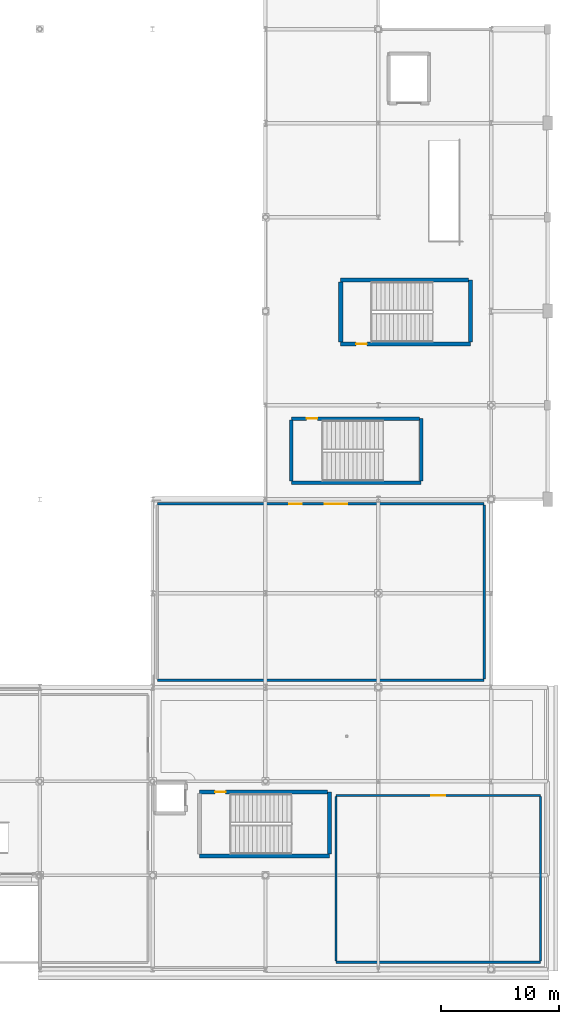
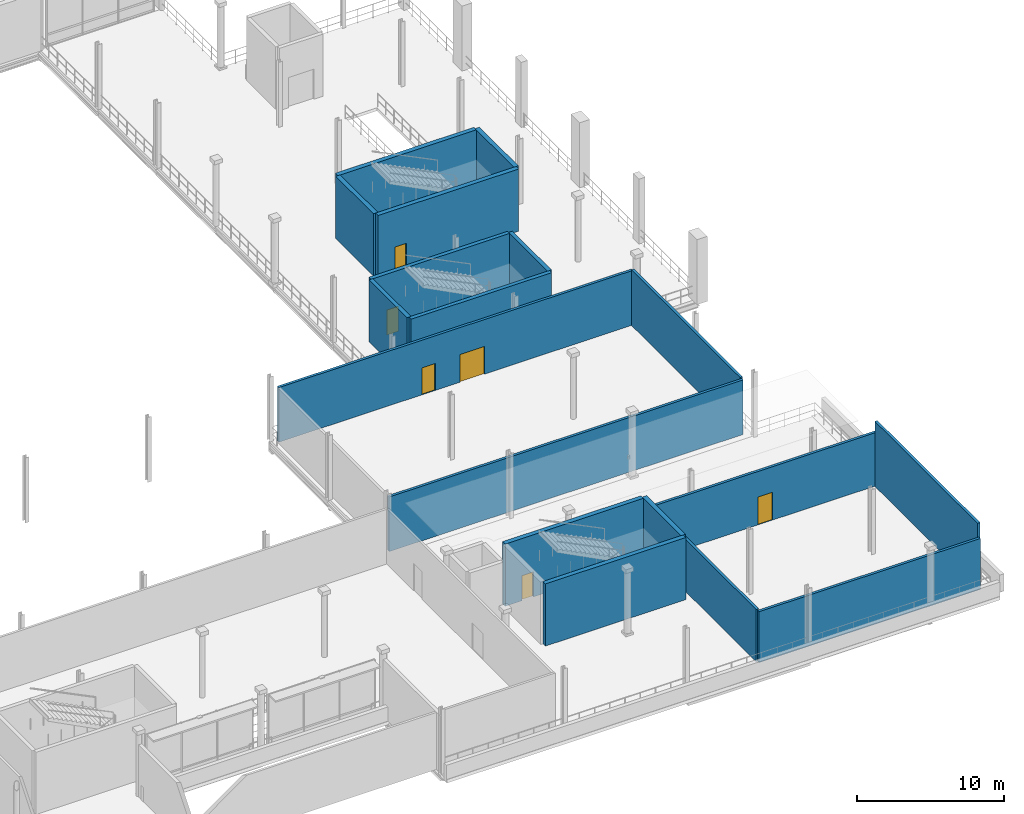
# One storey, part 82 of 129: 18 walls, 6 doors, 6 openings.
"""IFC4 building model written with IfcOpenShell, lengths in metres."""

from ifc_helpers import new_model, si_unit, direction, frame, frame_2d, origin, place, context, subcontext, project, spatial, rectangle, extrude, material, layer, layer_set, type_object, element, fill, save


model = new_model("IFC4")

# Units and contexts
model_context = context("Model", 3, precision=1e-05, world=origin(), true_north=direction((0.0, 1.0)))
body_context = subcontext(model_context, "Body", "Model", "MODEL_VIEW")
ifc_project = project(units=[si_unit("LENGTHUNIT", "METRE"), si_unit("AREAUNIT", "SQUARE_METRE"), si_unit("VOLUMEUNIT", "CUBIC_METRE"), si_unit("PLANEANGLEUNIT", "RADIAN"), si_unit("MASSUNIT", "GRAM", prefix="KILO")], contexts=[model_context])

# Site, building, storey
site_placement = place(None, origin())
site = spatial("IfcSite", under=ifc_project, at=site_placement, CompositionType="ELEMENT")
building_placement = place(site_placement, origin())
building = spatial("IfcBuilding", under=site, at=building_placement, Name="Danafjord Basin Convention Centre", CompositionType="ELEMENT")
storey_placement = place(building_placement, frame((0.0, 0.0, 6.0)))
storey = spatial("IfcBuildingStorey", under=building, at=storey_placement, Name="L01", CompositionType="ELEMENT", Elevation=6.0)

# Walls
ifc_material_1 = material(Name="Concrete C40/50", Category="concrete")
ifc_layer_1 = layer(ifc_material_1, 0.300048828125)
ifc_layer_set_1 = layer_set([ifc_layer_1], Name="Concrete C40/50")
wall_type_1 = type_object("IfcWallType", Name="WALL-CW-CORE300", PredefinedType="SHEAR", material=ifc_layer_set_1)
wall_1_placement = place(storey_placement, frame((194.199951171875, 41.39990234375, 0.0), z_axis=(0.0, 0.0, 1.0), x_axis=(1.0, 0.0, 0.0)))
element("IfcWall", 1, at=wall_1_placement, inside=storey, type_object=wall_type_1, Name="Ballroom South-East Escape Stair core shear wall (south)", PredefinedType="SHEAR", context=body_context, shape_type="SweptSolid", body=[
    extrude(rectangle(XDim=11.0400390625, YDim=0.300048828125, at=frame_2d((5.52001953125, 0.0))), origin(), (0.0, 0.0, 1.0), 5.169921875),
])
wall_2_placement = place(storey_placement, frame((205.239990234375, 41.534912109375, 0.0), z_axis=(0.0, 0.0, 1.0), x_axis=(0.0, 1.0, 0.0)))
element("IfcWall", 2, at=wall_2_placement, inside=storey, type_object=wall_type_1, Name="Ballroom South-East Escape Stair core shear wall (east)", PredefinedType="SHEAR", context=body_context, shape_type="SweptSolid", body=[
    extrude(rectangle(XDim=5.3251953125, YDim=0.300048828125, at=frame_2d((2.66259765625, 0.0))), origin(), (0.0, 0.0, 1.0), 5.169921875),
])

# Wall, opening, door
wall_3_placement = place(storey_placement, frame((205.10498046875, 46.860107421875, 0.0), z_axis=(0.0, 0.0, 1.0), x_axis=(-1.0, 0.0, 0.0)))
wall_3 = element("IfcWall", 3, at=wall_3_placement, inside=storey, type_object=wall_type_1, Name="Ballroom South-East Escape Stair core shear wall (north)", PredefinedType="SHEAR", context=body_context, shape_type="SweptSolid", body=[
    extrude(rectangle(XDim=10.905029296875, YDim=0.300048828125, at=frame_2d((5.45263671875, 0.0))), origin(), (0.0, 0.0, 1.0), 5.169921875),
])
opening_1_placement = place(wall_3_placement, frame((8.68408203125, 0.0, 0.0)))
opening_1 = element("IfcOpeningElement", 4, at=opening_1_placement, cuts=wall_3, Name="Opening FD-S01", PredefinedType="OPENING", context=body_context, shape_type="SweptSolid", body=[
    extrude(rectangle(XDim=0.909912109375, YDim=2.080078125, at=frame_2d((0.455078125, 1.0400390625))), frame((0.0, 0.159912109375, 0.0), z_axis=(0.0, -1.0, 0.0), x_axis=(1.0, 0.0, 0.0)), (0.0, 0.0, 1.0), 0.320068359375),
])
ifc_material_2 = material(Name="Powder-coated steel and Nordic oak", Category="steel")
door_type_1 = type_object("IfcDoorType", Name="DOOR-FD-S01", OperationType="NOTDEFINED", PredefinedType="DOOR", material=ifc_material_2)
door_1_placement = place(opening_1_placement, origin())
door_1 = element("IfcDoor", 5, at=door_1_placement, inside=storey, type_object=door_type_1, Name="Ballroom South-East Escape Stair L01 Fire Exit Door", OperationType="SINGLE_SWING_RIGHT", OverallHeight=2.080078125, OverallWidth=0.909912109375, PredefinedType="DOOR", context=body_context, shape_type="SweptSolid", body=[
    extrude(rectangle(XDim=0.909912109375, YDim=2.080078125, at=frame_2d((0.455078125, 1.0400390625))), frame((0.0, 0.02490234375, 0.0), z_axis=(0.0, -1.0, 0.0), x_axis=(1.0, 0.0, 0.0)), (0.0, 0.0, 1.0), 0.050048828125),
])
fill(opening_1, door_1)

# Wall
wall_4_placement = place(storey_placement, frame((194.199951171875, 46.72509765625, 0.0), z_axis=(0.0, 0.0, 1.0), x_axis=(0.0, -1.0, 0.0)))
element("IfcWall", 6, at=wall_4_placement, inside=storey, type_object=wall_type_1, Name="Ballroom South-East Escape Stair core shear wall (west)", PredefinedType="SHEAR", context=body_context, shape_type="SweptSolid", body=[
    extrude(rectangle(XDim=5.190185546875, YDim=0.300048828125, at=frame_2d((2.59521484375, 0.0))), origin(), (0.0, 0.0, 1.0), 5.169921875),
])

# Wall, opening, door
ifc_material_3 = material(Name="Concrete C45/55", Category="concrete")
ifc_layer_2 = layer(ifc_material_3, 0.35009765625)
ifc_layer_set_2 = layer_set([ifc_layer_2], Name="Concrete C45/55")
wall_type_2 = type_object("IfcWallType", Name="WALL-CW-CORE350", PredefinedType="SHEAR", material=ifc_layer_set_2)
wall_5_placement = place(storey_placement, frame((198.39990234375, 53.199951171875, 0.0), z_axis=(0.0, 0.0, 1.0), x_axis=(1.0, 0.0, 0.0)))
wall_5 = element("IfcWall", 7, at=wall_5_placement, inside=storey, type_object=wall_type_2, Name="Ballroom East Core Stair 1 core shear wall (south)", PredefinedType="SHEAR", context=body_context, shape_type="SweptSolid", body=[
    extrude(rectangle(XDim=11.0400390625, YDim=0.35009765625, at=frame_2d((5.52001953125, 0.0))), origin(), (0.0, 0.0, 1.0), 5.169921875),
])
opening_2_placement = place(wall_5_placement, frame((1.31201171875, 0.0, 0.0)))
opening_2 = element("IfcOpeningElement", 8, at=opening_2_placement, cuts=wall_5, Name="Opening FD-S01", PredefinedType="OPENING", context=body_context, shape_type="SweptSolid", body=[
    extrude(rectangle(XDim=0.909912109375, YDim=2.080078125, at=frame_2d((0.455078125, 1.0400390625))), frame((0.0, 0.18505859375, 0.0), z_axis=(0.0, -1.0, 0.0), x_axis=(1.0, 0.0, 0.0)), (0.0, 0.0, 1.0), 0.3701171875),
])
door_2_placement = place(opening_2_placement, origin())
door_2 = element("IfcDoor", 9, at=door_2_placement, inside=storey, type_object=door_type_1, Name="Ballroom East Core Stair 1 L01 Fire Exit Door", OperationType="SINGLE_SWING_RIGHT", OverallHeight=2.080078125, OverallWidth=0.909912109375, PredefinedType="DOOR", context=body_context, shape_type="SweptSolid", body=[
    extrude(rectangle(XDim=0.909912109375, YDim=2.080078125, at=frame_2d((0.455078125, 1.0400390625))), frame((0.0, 0.02490234375, 0.0), z_axis=(0.0, -1.0, 0.0), x_axis=(1.0, 0.0, 0.0)), (0.0, 0.0, 1.0), 0.050048828125),
])
fill(opening_2, door_2)

# Walls
wall_6_placement = place(storey_placement, frame((209.43994140625, 53.360107421875, 0.0), z_axis=(0.0, 0.0, 1.0), x_axis=(0.0, 1.0, 0.0)))
element("IfcWall", 10, at=wall_6_placement, inside=storey, type_object=wall_type_2, Name="Ballroom East Core Stair 1 core shear wall (east)", PredefinedType="SHEAR", context=body_context, shape_type="SweptSolid", body=[
    extrude(rectangle(XDim=5.2998046875, YDim=0.35009765625, at=frame_2d((2.64990234375, 0.0))), origin(), (0.0, 0.0, 1.0), 5.169921875),
])
wall_7_placement = place(storey_placement, frame((209.280029296875, 58.659912109375, 0.0), z_axis=(0.0, 0.0, 1.0), x_axis=(-1.0, 0.0, 0.0)))
element("IfcWall", 11, at=wall_7_placement, inside=storey, type_object=wall_type_2, Name="Ballroom East Core Stair 1 core shear wall (north)", PredefinedType="SHEAR", context=body_context, shape_type="SweptSolid", body=[
    extrude(rectangle(XDim=10.880126953125, YDim=0.35009765625, at=frame_2d((5.43994140625, 0.0))), origin(), (0.0, 0.0, 1.0), 5.169921875),
])
wall_8_placement = place(storey_placement, frame((198.39990234375, 58.5, 0.0), z_axis=(0.0, 0.0, 1.0), x_axis=(0.0, -1.0, 0.0)))
element("IfcWall", 12, at=wall_8_placement, inside=storey, type_object=wall_type_2, Name="Ballroom East Core Stair 1 core shear wall (west)", PredefinedType="SHEAR", context=body_context, shape_type="SweptSolid", body=[
    extrude(rectangle(XDim=5.139892578125, YDim=0.35009765625, at=frame_2d((2.56982421875, 0.0))), origin(), (0.0, 0.0, 1.0), 5.169921875),
])
wall_9_placement = place(storey_placement, frame((186.39990234375, 9.64990234375, 0.0), z_axis=(0.0, 0.0, 1.0), x_axis=(1.0, 0.0, 0.0)))
element("IfcWall", 13, at=wall_9_placement, inside=storey, type_object=wall_type_2, Name="Harbour Pavilion Core Stair 1 core shear wall (south)", PredefinedType="SHEAR", context=body_context, shape_type="SweptSolid", body=[
    extrude(rectangle(XDim=11.0400390625, YDim=0.35009765625, at=frame_2d((5.52001953125, 0.0))), origin(), (0.0, 0.0, 1.0), 5.169921875),
])
wall_10_placement = place(storey_placement, frame((197.43994140625, 9.81005859375, 0.0), z_axis=(0.0, 0.0, 1.0), x_axis=(0.0, 1.0, 0.0)))
element("IfcWall", 14, at=wall_10_placement, inside=storey, type_object=wall_type_2, Name="Harbour Pavilion Core Stair 1 core shear wall (east)", PredefinedType="SHEAR", context=body_context, shape_type="SweptSolid", body=[
    extrude(rectangle(XDim=5.300048828125, YDim=0.35009765625, at=frame_2d((2.64990234375, 0.0))), origin(), (0.0, 0.0, 1.0), 5.169921875),
])

# Wall, opening, door
wall_11_placement = place(storey_placement, frame((197.280029296875, 15.110107421875, 0.0), z_axis=(0.0, 0.0, 1.0), x_axis=(-1.0, 0.0, 0.0)))
wall_11 = element("IfcWall", 15, at=wall_11_placement, inside=storey, type_object=wall_type_2, Name="Harbour Pavilion Core Stair 1 core shear wall (north)", PredefinedType="SHEAR", context=body_context, shape_type="SweptSolid", body=[
    extrude(rectangle(XDim=10.880126953125, YDim=0.35009765625, at=frame_2d((5.43994140625, 0.0))), origin(), (0.0, 0.0, 1.0), 5.169921875),
])
opening_3_placement = place(wall_11_placement, frame((8.659912109375, 0.0, 0.0)))
opening_3 = element("IfcOpeningElement", 16, at=opening_3_placement, cuts=wall_11, Name="Opening FD-S01", PredefinedType="OPENING", context=body_context, shape_type="SweptSolid", body=[
    extrude(rectangle(XDim=0.909912109375, YDim=2.080078125, at=frame_2d((0.455078125, 1.0400390625))), frame((0.0, 0.18505859375, 0.0), z_axis=(0.0, -1.0, 0.0), x_axis=(1.0, 0.0, 0.0)), (0.0, 0.0, 1.0), 0.3701171875),
])
door_3_placement = place(opening_3_placement, origin())
door_3 = element("IfcDoor", 17, at=door_3_placement, inside=storey, type_object=door_type_1, Name="Harbour Pavilion Core Stair 1 L01 Fire Exit Door", OperationType="SINGLE_SWING_LEFT", OverallHeight=2.080078125, OverallWidth=0.909912109375, PredefinedType="DOOR", context=body_context, shape_type="SweptSolid", body=[
    extrude(rectangle(XDim=0.909912109375, YDim=2.080078125, at=frame_2d((0.455078125, 1.0400390625))), frame((0.0, 0.02490234375, 0.0), z_axis=(0.0, -1.0, 0.0), x_axis=(1.0, 0.0, 0.0)), (0.0, 0.0, 1.0), 0.050048828125),
])
fill(opening_3, door_3)

# Wall, openings, doors
ifc_material_4 = material(Name="Concrete C35/45", Category="concrete")
ifc_layer_3 = layer(ifc_material_4, 0.205078125)
ifc_layer_set_3 = layer_set([ifc_layer_3], Name="Concrete C35/45")
wall_type_3 = type_object("IfcWallType", Name="WALL-W-COMP205", PredefinedType="SOLIDWALL", material=ifc_layer_set_3)
wall_12_placement = place(storey_placement, frame((210.60009765625, 39.60009765625, 0.0), z_axis=(0.0, 0.0, 1.0), x_axis=(-1.0, 0.0, 0.0)))
wall_12 = element("IfcWall", 18, at=wall_12_placement, inside=storey, type_object=wall_type_3, Name="Mezzanine Hospitality Kitchen north partition", PredefinedType="SOLIDWALL", context=body_context, shape_type="SweptSolid", body=[
    extrude(rectangle(XDim=27.800048828125, YDim=0.205078125, at=frame_2d((13.89990234375, 0.0))), origin(), (0.0, 0.0, 1.0), 4.5400390625),
])
opening_4_placement = place(wall_12_placement, frame((11.64599609375, 0.0, 0.0)))
opening_4 = element("IfcOpeningElement", 19, at=opening_4_placement, cuts=wall_12, Name="Opening FD-D05", PredefinedType="OPENING", context=body_context, shape_type="SweptSolid", body=[
    extrude(rectangle(XDim=1.919921875, YDim=2.300048828125, at=frame_2d((0.9599609375, 1.14990234375))), frame((0.0, 0.112548828125, 0.0), z_axis=(0.0, -1.0, 0.0), x_axis=(1.0, 0.0, 0.0)), (0.0, 0.0, 1.0), 0.22509765625),
])
opening_5_placement = place(wall_12_placement, frame((15.52099609375, 0.0, 0.0)))
opening_5 = element("IfcOpeningElement", 20, at=opening_5_placement, cuts=wall_12, Name="Opening FD-S13", PredefinedType="OPENING", context=body_context, shape_type="SweptSolid", body=[
    extrude(rectangle(XDim=1.0400390625, YDim=2.239990234375, at=frame_2d((0.52001953125, 1.1201171875))), frame((0.0, 0.112548828125, 0.0), z_axis=(0.0, -1.0, 0.0), x_axis=(1.0, 0.0, 0.0)), (0.0, 0.0, 1.0), 0.22509765625),
])
ifc_material_5 = material(Name="Brushed stainless steel and acoustic laminated glass", Category="steel")
door_type_2 = type_object("IfcDoorType", Name="DOOR-FD-D05", OperationType="DOUBLE_DOOR_SINGLE_SWING", PredefinedType="DOOR", material=ifc_material_5)
door_4_placement = place(opening_4_placement, origin())
door_4 = element("IfcDoor", 21, at=door_4_placement, inside=storey, type_object=door_type_2, Name="Mezzanine Hospitality Kitchen Entrance Door", OperationType="DOUBLE_DOOR_SINGLE_SWING", OverallHeight=2.300048828125, OverallWidth=1.919921875, PredefinedType="DOOR", context=body_context, shape_type="SweptSolid", body=[
    extrude(rectangle(XDim=1.919921875, YDim=2.300048828125, at=frame_2d((0.9599609375, 1.14990234375))), frame((0.0, 0.02490234375, 0.0), z_axis=(0.0, -1.0, 0.0), x_axis=(1.0, 0.0, 0.0)), (0.0, 0.0, 1.0), 0.050048828125),
])
fill(opening_4, door_4)
door_type_3 = type_object("IfcDoorType", Name="DOOR-FD-S13", OperationType="NOTDEFINED", PredefinedType="DOOR", material=ifc_material_2)
door_5_placement = place(opening_5_placement, origin())
door_5 = element("IfcDoor", 22, at=door_5_placement, inside=storey, type_object=door_type_3, Name="Mezzanine Hospitality Kitchen Secondary Exit Door", OperationType="SINGLE_SWING_RIGHT", OverallHeight=2.239990234375, OverallWidth=1.0400390625, PredefinedType="DOOR", context=body_context, shape_type="SweptSolid", body=[
    extrude(rectangle(XDim=1.0400390625, YDim=2.239990234375, at=frame_2d((0.52001953125, 1.1201171875))), frame((0.0, 0.02490234375, 0.0), z_axis=(0.0, -1.0, 0.0), x_axis=(1.0, 0.0, 0.0)), (0.0, 0.0, 1.0), 0.050048828125),
])
fill(opening_5, door_5)

# Walls
wall_13_placement = place(storey_placement, frame((182.800048828125, 24.60009765625, 0.0), z_axis=(0.0, 0.0, 1.0), x_axis=(1.0, 0.0, 0.0)))
element("IfcWall", 23, at=wall_13_placement, inside=storey, type_object=wall_type_3, Name="Mezzanine Hospitality Kitchen south partition", PredefinedType="SOLIDWALL", context=body_context, shape_type="SweptSolid", body=[
    extrude(rectangle(XDim=27.800048828125, YDim=0.205078125, at=frame_2d((13.89990234375, 0.0))), origin(), (0.0, 0.0, 1.0), 4.5400390625),
])
wall_14_placement = place(storey_placement, frame((210.60009765625, 24.70654296875, 0.0), z_axis=(0.0, 0.0, 1.0), x_axis=(0.0, 1.0, 0.0)))
element("IfcWall", 24, at=wall_14_placement, inside=storey, type_object=wall_type_3, Name="Mezzanine Hospitality Kitchen east partition", PredefinedType="SOLIDWALL", context=body_context, shape_type="SweptSolid", body=[
    extrude(rectangle(XDim=14.786865234375, YDim=0.205078125, at=frame_2d((7.3935546875, 0.0))), origin(), (0.0, 0.0, 1.0), 4.639892578125),
])

# Wall, opening, door
wall_15_placement = place(storey_placement, frame((215.39990234375, 14.800048828125, 0.0), z_axis=(0.0, 0.0, 1.0), x_axis=(-1.0, 0.0, 0.0)))
wall_15 = element("IfcWall", 25, at=wall_15_placement, inside=storey, type_object=wall_type_3, Name="Mezzanine AHU Plant Room north partition", PredefinedType="SOLIDWALL", context=body_context, shape_type="SweptSolid", body=[
    extrude(rectangle(XDim=17.39990234375, YDim=0.205078125, at=frame_2d((8.699951171875, 0.0))), origin(), (0.0, 0.0, 1.0), 4.43994140625),
])
opening_6_placement = place(wall_15_placement, frame((8.1201171875, 0.0, 0.0)))
opening_6 = element("IfcOpeningElement", 26, at=opening_6_placement, cuts=wall_15, Name="Opening FD-S17", PredefinedType="OPENING", context=body_context, shape_type="SweptSolid", body=[
    extrude(rectangle(XDim=1.159912109375, YDim=2.320068359375, at=frame_2d((0.580078125, 1.16015625))), frame((0.0, 0.112548828125, 0.0), z_axis=(0.0, -1.0, 0.0), x_axis=(1.0, 0.0, 0.0)), (0.0, 0.0, 1.0), 0.22509765625),
])
door_type_4 = type_object("IfcDoorType", Name="DOOR-FD-S17", OperationType="NOTDEFINED", PredefinedType="DOOR", material=ifc_material_2)
door_6_placement = place(opening_6_placement, origin())
door_6 = element("IfcDoor", 27, at=door_6_placement, inside=storey, type_object=door_type_4, Name="Mezzanine AHU Plant Room Entrance Door", OperationType="SINGLE_SWING_RIGHT", OverallHeight=2.320068359375, OverallWidth=1.159912109375, PredefinedType="DOOR", context=body_context, shape_type="SweptSolid", body=[
    extrude(rectangle(XDim=1.159912109375, YDim=2.320068359375, at=frame_2d((0.580078125, 1.16015625))), frame((0.0, 0.02490234375, 0.0), z_axis=(0.0, -1.0, 0.0), x_axis=(1.0, 0.0, 0.0)), (0.0, 0.0, 1.0), 0.050048828125),
])
fill(opening_6, door_6)

# Walls
wall_16_placement = place(storey_placement, frame((198.0, 0.60009765625, 0.0), z_axis=(0.0, 0.0, 1.0), x_axis=(1.0, 0.0, 0.0)))
element("IfcWall", 28, at=wall_16_placement, inside=storey, type_object=wall_type_3, Name="Mezzanine AHU Plant Room south partition", PredefinedType="SOLIDWALL", context=body_context, shape_type="SweptSolid", body=[
    extrude(rectangle(XDim=17.39990234375, YDim=0.205078125, at=frame_2d((8.699951171875, 0.0))), origin(), (0.0, 0.0, 1.0), 4.239990234375),
])
wall_17_placement = place(storey_placement, frame((215.39990234375, 0.70654296875, 0.0), z_axis=(0.0, 0.0, 1.0), x_axis=(0.0, 1.0, 0.0)))
element("IfcWall", 29, at=wall_17_placement, inside=storey, type_object=wall_type_3, Name="Mezzanine AHU Plant Room east partition", PredefinedType="SOLIDWALL", context=body_context, shape_type="SweptSolid", body=[
    extrude(rectangle(XDim=13.987060546875, YDim=0.205078125, at=frame_2d((6.99365234375, 0.0))), origin(), (0.0, 0.0, 1.0), 5.39990234375),
])
wall_18_placement = place(storey_placement, frame((198.0, 14.693603515625, 0.0), z_axis=(0.0, 0.0, 1.0), x_axis=(0.0, -1.0, 0.0)))
element("IfcWall", 30, at=wall_18_placement, inside=storey, type_object=wall_type_3, Name="Mezzanine AHU Plant Room west partition", PredefinedType="SOLIDWALL", context=body_context, shape_type="SweptSolid", body=[
    extrude(rectangle(XDim=13.987060546875, YDim=0.205078125, at=frame_2d((6.99365234375, 0.0))), origin(), (0.0, 0.0, 1.0), 4.340087890625),
])

save(model, "model.ifc")
